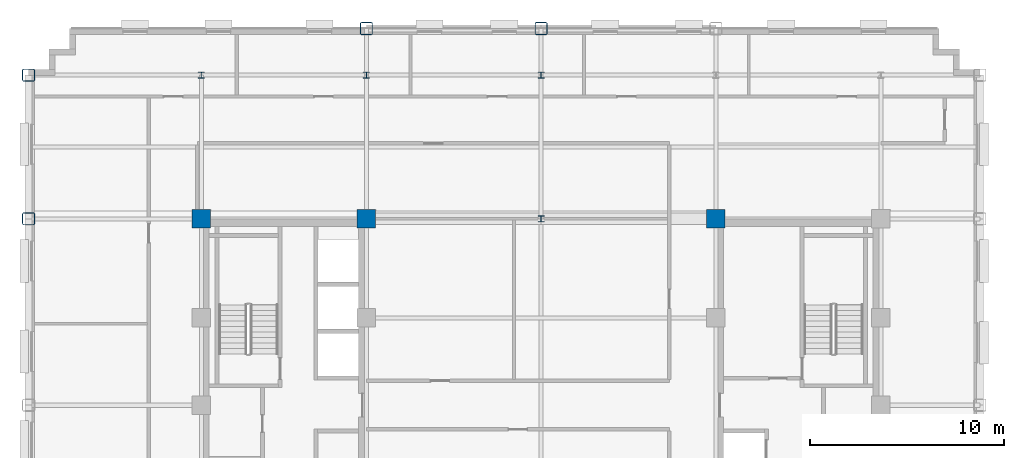
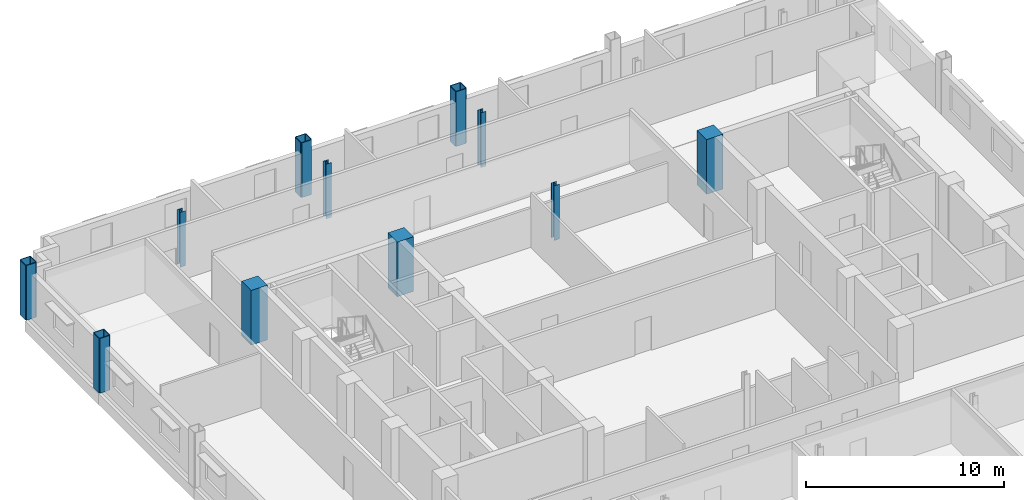
# One storey, part 3 of 14: 11 columns.
"""IFC4 building model written with IfcOpenShell, lengths in metres."""

from ifc_helpers import new_model, si_unit, direction, frame, origin, origin_2d, place, context, subcontext, project, spatial, rectangle, hollow_rectangle, i_section, extrude, material, material_profile, profile_set, type_object, element, save


model = new_model("IFC4")

# Units and contexts
model_context = context("Model", 3, precision=1e-05, world=origin(), true_north=direction((0.0, 1.0)))
body_context = subcontext(model_context, "Body", "Model", "MODEL_VIEW")
ifc_project = project(units=[si_unit("LENGTHUNIT", "METRE"), si_unit("AREAUNIT", "SQUARE_METRE"), si_unit("VOLUMEUNIT", "CUBIC_METRE"), si_unit("PLANEANGLEUNIT", "RADIAN"), si_unit("MASSUNIT", "GRAM", prefix="KILO")], contexts=[model_context])

# Site, building, storey
site_placement = place(None, origin())
site = spatial("IfcSite", under=ifc_project, at=site_placement, CompositionType="ELEMENT")
building_placement = place(site_placement, origin())
building = spatial("IfcBuilding", under=site, at=building_placement, Name="Nuvemarco Arch Tower", CompositionType="ELEMENT")
storey_placement = place(building_placement, frame((0.0, 0.0, 178.60009765625)))
storey = spatial("IfcBuildingStorey", under=building, at=storey_placement, Name="L47", CompositionType="ELEMENT", Elevation=178.60009765625)

# Columns
ifc_material_1 = material(Name="Concrete C50/60", Category="concrete")
ifc_material_profile_1 = material_profile(ifc_material_1, rectangle(XDim=0.949951171875, YDim=0.949951171875, at=origin_2d()), Name="RC-COL-950x950")
ifc_profile_set_1 = profile_set([ifc_material_profile_1], Name="Concrete C50/60")
column_type_1 = type_object("IfcColumnType", Name="COL-CORE-950", PredefinedType="COLUMN", material=ifc_profile_set_1)
for number, where, z_axis, x_axis, name in (
    (1, (-17.5, 9.60009765625, 0.0), (0.0, 0.0, 1.0), (1.0, 0.0, 0.0), "L47 column CC_-17.5_+9.6"),
    (2, (-9.0, 9.60009765625, 0.0), (0.0, 0.0, 1.0), (1.0, 0.0, 0.0), "L47 column CC_-9.0_+9.6"),
    (3, (9.0, 9.60009765625, 0.0), (0.0, 0.0, 1.0), (1.0, 0.0, 0.0), "L47 column CC_+9.0_+9.6"),
):
    element("IfcColumn", number, at=place(storey_placement, frame(where, z_axis=z_axis, x_axis=x_axis)), inside=storey, type_object=column_type_1, Name=name, PredefinedType="COLUMN", context=body_context, shape_type="SweptSolid", body=[
        extrude(rectangle(XDim=0.949951171875, YDim=0.949951171875, at=origin_2d()), origin(), (0.0, 0.0, 1.0), 3.369873046875),
    ])
ifc_material_2 = material(Name="Steel S355", Category="steel")
ifc_material_profile_2 = material_profile(ifc_material_2, hollow_rectangle(XDim=0.64990234375, YDim=0.64990234375, WallThickness=0.0400390625, InnerFilletRadius=0.0400390625, OuterFilletRadius=0.080078125, at=origin_2d()), Name="SHS650x650x40")
ifc_profile_set_2 = profile_set([ifc_material_profile_2], Name="Steel S355")
column_type_2 = type_object("IfcColumnType", Name="COL-EXO-650", PredefinedType="COLUMN", material=ifc_profile_set_2)
for number, where, z_axis, x_axis, name in (
    (4, (-26.39990234375, 9.60009765625, 0.0), (0.0, 0.0, 1.0), (1.0, 0.0, 0.0), "L47 column CX_-26.4_+9.6"),
    (5, (-26.39990234375, 17.0, 0.0), (0.0, 0.0, 1.0), (1.0, 0.0, 0.0), "L47 column CX_-26.4_+17.0"),
    (6, (-9.0, 19.39990234375, 0.0), (0.0, 0.0, 1.0), (1.0, 0.0, 0.0), "L47 column CY_-9.0_+19.4"),
    (7, (0.0, 19.39990234375, 0.0), (0.0, 0.0, 1.0), (1.0, 0.0, 0.0), "L47 column CY_+0.0_+19.4"),
):
    element("IfcColumn", number, at=place(storey_placement, frame(where, z_axis=z_axis, x_axis=x_axis)), inside=storey, type_object=column_type_2, Name=name, PredefinedType="COLUMN", context=body_context, shape_type="SweptSolid", body=[
        extrude(hollow_rectangle(XDim=0.64990234375, YDim=0.64990234375, WallThickness=0.0400390625, InnerFilletRadius=0.0400390625, OuterFilletRadius=0.080078125, at=origin_2d()), origin(), (0.0, 0.0, 1.0), 3.369873046875),
    ])
ifc_material_profile_3 = material_profile(ifc_material_2, i_section(OverallWidth=0.31005859375, OverallDepth=0.31005859375, WebThickness=0.015380859375, FlangeThickness=0.015380859375, FilletRadius=0.014892578125, at=origin_2d()), Name="HP310x110")
ifc_profile_set_3 = profile_set([ifc_material_profile_3], Name="Steel S355")
column_type_3 = type_object("IfcColumnType", Name="COL-STL-HP310", PredefinedType="COLUMN", material=ifc_profile_set_3)
for number, where, z_axis, x_axis, name in (
    (8, (0.0, 9.60009765625, 0.0), (0.0, 0.0, 1.0), (1.0, 0.0, 0.0), "L47 column CI_+0.0_+9.6"),
    (9, (0.0, 17.0, 0.0), (0.0, 0.0, 1.0), (1.0, 0.0, 0.0), "L47 column CI_+0.0_+17.0"),
    (10, (-17.5, 17.0, 0.0), (0.0, 0.0, 1.0), (1.0, 0.0, 0.0), "L47 column CI_-17.5_+17.0"),
    (11, (-9.0, 17.0, 0.0), (0.0, 0.0, 1.0), (1.0, 0.0, 0.0), "L47 column CI_-9.0_+17.0"),
):
    element("IfcColumn", number, at=place(storey_placement, frame(where, z_axis=z_axis, x_axis=x_axis)), inside=storey, type_object=column_type_3, Name=name, PredefinedType="COLUMN", context=body_context, shape_type="SweptSolid", body=[
        extrude(i_section(OverallWidth=0.31005859375, OverallDepth=0.31005859375, WebThickness=0.015380859375, FlangeThickness=0.015380859375, FilletRadius=0.014892578125, at=origin_2d()), origin(), (0.0, 0.0, 1.0), 3.369873046875),
    ])

save(model, "model.ifc")
